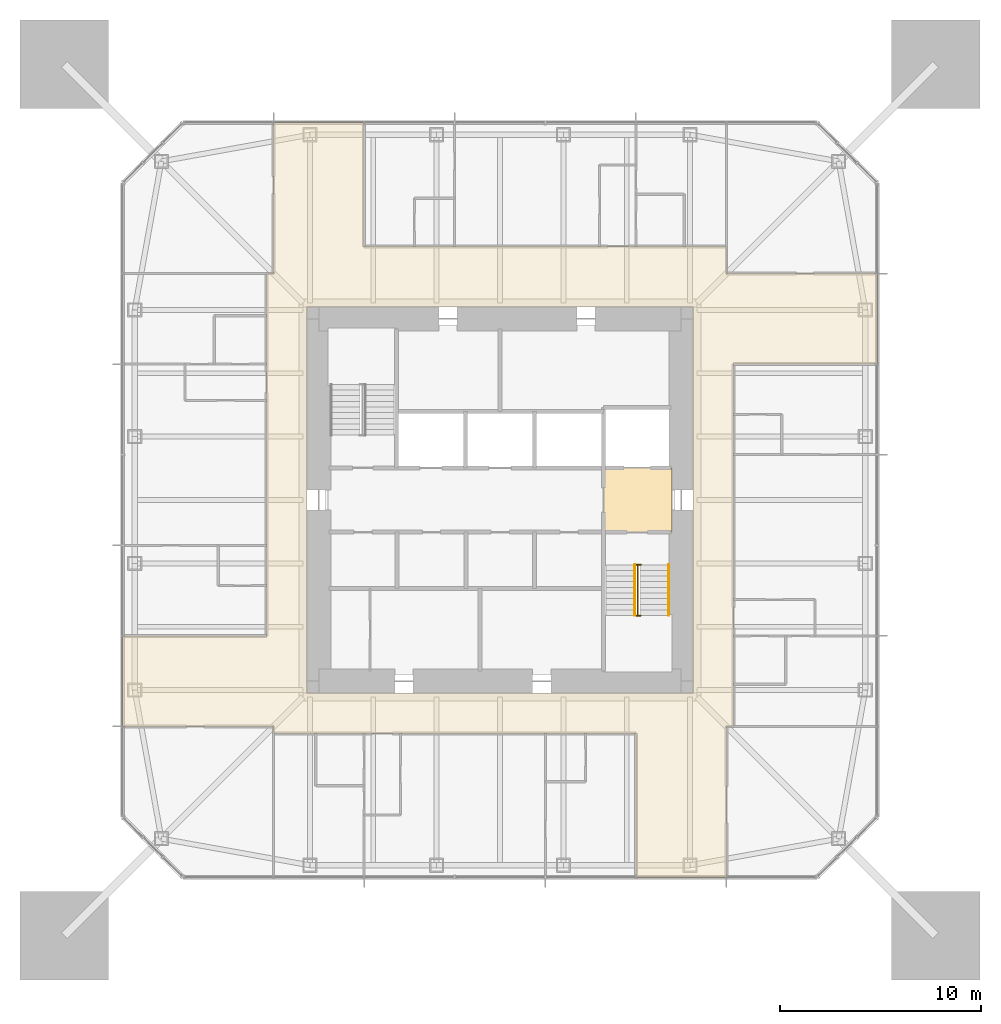
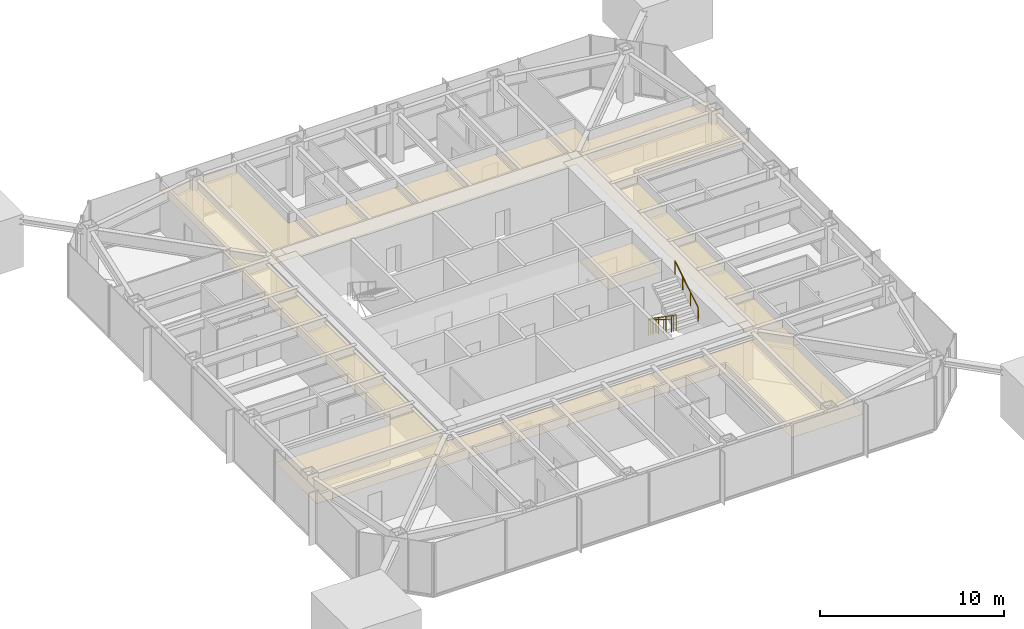
# One storey, part 10 of 11: 3 railings, 2 coverings.
"""IFC4 building model written with IfcOpenShell, lengths in metres."""

from ifc_helpers import new_model, si_unit, direction, frame, origin, origin_2d, place, context, subcontext, project, spatial, polyline, circle, outline, extrude, material, layer, layer_set, constituent, constituent_set, type_object, element, save


model = new_model("IFC4")

# Units and contexts
model_context = context("Model", 3, precision=1e-05, world=origin(), true_north=direction((0.0, 1.0)))
body_context = subcontext(model_context, "Body", "Model", "MODEL_VIEW")
ifc_project = project(units=[si_unit("LENGTHUNIT", "METRE"), si_unit("AREAUNIT", "SQUARE_METRE"), si_unit("VOLUMEUNIT", "CUBIC_METRE"), si_unit("PLANEANGLEUNIT", "RADIAN"), si_unit("MASSUNIT", "GRAM", prefix="KILO")], contexts=[model_context])

# Site, building, storey
site_placement = place(None, origin())
site = spatial("IfcSite", under=ifc_project, at=site_placement, CompositionType="ELEMENT")
building_placement = place(site_placement, origin())
building = spatial("IfcBuilding", under=site, at=building_placement, Name="Iwan Alto Co-Living Towers", CompositionType="ELEMENT")
storey_placement = place(building_placement, frame((0.0, 0.0, 181.0)))
storey = spatial("IfcBuildingStorey", under=building, at=storey_placement, Name="L49", CompositionType="ELEMENT", Elevation=181.0)

# Covering
ifc_material_1 = material(Name="Mineral fibre acoustic tiles on steel grid", Category="steel")
ifc_layer_1 = layer(ifc_material_1, 0.02001953125)
ifc_layer_set_1 = layer_set([ifc_layer_1], Name="ACOUSTIC TILE CEILING 20")
covering_type_1 = type_object("IfcCoveringType", Name="ACOUSTIC TILE CEILING 20", PredefinedType="CEILING", material=ifc_layer_set_1)
covering_1_placement = place(storey_placement, frame((0.0, 0.0, 2.60009765625)))
element("IfcCovering", 1, at=covering_1_placement, inside=storey, type_object=covering_type_1, Name="Ceiling Firefighting lobby L49", PredefinedType="CEILING", context=body_context, shape_type="SweptSolid", body=[
    extrude(outline(polyline([(5.14990234375, -1.60009765625), (5.14990234375, 1.60009765625), (8.550048828125, 1.60009765625), (8.550048828125, -1.60009765625), (5.14990234375, -1.60009765625)])), origin(), (0.0, 0.0, 1.0), 0.02001953125),
])

# Railings
ifc_material_2 = material(Name="Steel ASTM A500 Gr C", Category="steel")
ifc_constituent_1 = constituent(ifc_material_2, Name="Rails and posts", Category="Framing")
ifc_material_3 = material(Name="Steel ASTM A36", Category="steel")
ifc_constituent_2 = constituent(ifc_material_3, Name="Bar infill", Category="Infill")
ifc_constituent_set = constituent_set(constituents=[ifc_constituent_1, ifc_constituent_2], Name="STAIR GUARD 1100")
railing_type_1 = type_object("IfcRailingType", Name="STAIR GUARD 1100", PredefinedType="GUARDRAIL", material=ifc_constituent_set)
railing_1_placement = place(storey_placement, frame((6.85009765625, -3.219970703125, 0.0)))
element("IfcRailing", 2, at=railing_1_placement, inside=storey, type_object=railing_type_1, Name="Stair T1-S2 well guard L49", PredefinedType="GUARDRAIL", context=body_context, shape_type="SweptSolid", body=[
    extrude(circle(Radius=0.02392578125, at=origin_2d()), frame((0.0, 0.0, 1.076171875), z_axis=(0.0, -0.821372036852, 0.570392826987), x_axis=(1.0, 0.0, 0.0)), (0.0, 0.0, 1.0), 3.068115234375),
    extrude(circle(Radius=0.02392578125, at=origin_2d()), frame((-0.150146484375, 0.0, 1.076171875), z_axis=(1.0, 0.0, 0.0), x_axis=(0.0, 1.0, 0.0)), (0.0, 0.0, 1.0), 0.300048828125),
    extrude(circle(Radius=0.02392578125, at=origin_2d()), frame((-0.150146484375, -2.52001953125, 2.826171875), z_axis=(1.0, 0.0, 0.0), x_axis=(0.0, 1.0, 0.0)), (0.0, 0.0, 1.0), 0.300048828125),
    extrude(circle(Radius=0.02099609375, at=origin_2d()), origin(), (0.0, 0.0, 1.0), 1.052001953125),
    extrude(circle(Radius=0.02099609375, at=origin_2d()), frame((0.0, -0.840087890625, 0.583251953125)), (0.0, 0.0, 1.0), 1.052001953125),
    extrude(circle(Radius=0.02099609375, at=origin_2d()), frame((0.0, -1.679931640625, 1.166748046875)), (0.0, 0.0, 1.0), 1.052001953125),
    extrude(circle(Radius=0.02099609375, at=origin_2d()), frame((0.0, -2.52001953125, 1.75)), (0.0, 0.0, 1.0), 1.052001953125),
    extrude(circle(Radius=0.02099609375, at=origin_2d()), frame((-0.150146484375, 0.0, 0.0)), (0.0, 0.0, 1.0), 1.052001953125),
    extrude(circle(Radius=0.02099609375, at=origin_2d()), frame((0.14990234375, 0.0, 0.0)), (0.0, 0.0, 1.0), 1.052001953125),
    extrude(circle(Radius=0.02099609375, at=origin_2d()), frame((-0.150146484375, -2.52001953125, 1.75)), (0.0, 0.0, 1.0), 1.052001953125),
    extrude(circle(Radius=0.02099609375, at=origin_2d()), frame((0.14990234375, -2.52001953125, 1.75)), (0.0, 0.0, 1.0), 1.052001953125),
])
ifc_material_4 = material(Name="Steel ASTM A500 Gr C", Category="steel")
railing_type_2 = type_object("IfcRailingType", Name="STAIR HANDRAIL 900", PredefinedType="HANDRAIL", material=ifc_material_4)
railing_2_placement = place(storey_placement, frame((6.699951171875, -3.219970703125, 0.175048828125)))
element("IfcRailing", 3, at=railing_2_placement, inside=storey, type_object=railing_type_2, Name="Stair T1-S2 handrail 1 L49", PredefinedType="HANDRAIL", context=body_context, shape_type="SweptSolid", body=[
    extrude(circle(Radius=0.02392578125, at=origin_2d()), frame((0.0, 0.0, 0.8759765625), z_axis=(0.0, -0.848007534815, 0.529984170421), x_axis=(1.0, 0.0, 0.0)), (0.0, 0.0, 1.0), 2.9716796875),
    extrude(circle(Radius=0.02099609375, at=origin_2d()), origin(), (0.0, 0.0, 1.0), 0.851806640625),
    extrude(circle(Radius=0.02099609375, at=origin_2d()), frame((0.0, -0.840087890625, 0.52490234375)), (0.0, 0.0, 1.0), 0.851806640625),
    extrude(circle(Radius=0.02099609375, at=origin_2d()), frame((0.0, -1.679931640625, 1.050048828125)), (0.0, 0.0, 1.0), 0.851806640625),
    extrude(circle(Radius=0.02099609375, at=origin_2d()), frame((0.0, -2.52001953125, 1.574951171875)), (0.0, 0.0, 1.0), 0.851806640625),
])
railing_3_placement = place(storey_placement, frame((8.3798828125, -5.739990234375, 1.925048828125)))
element("IfcRailing", 4, at=railing_3_placement, inside=storey, type_object=railing_type_2, Name="Stair T1-S2 handrail 2 L49", PredefinedType="HANDRAIL", context=body_context, shape_type="SweptSolid", body=[
    extrude(circle(Radius=0.02392578125, at=origin_2d()), frame((0.0, 0.0, 0.8759765625), z_axis=(0.0, 0.848007534815, 0.529984170421), x_axis=(-1.0, 0.0, 0.0)), (0.0, 0.0, 1.0), 2.9716796875),
    extrude(circle(Radius=0.02099609375, at=origin_2d()), origin(), (0.0, 0.0, 1.0), 0.851806640625),
    extrude(circle(Radius=0.02099609375, at=origin_2d()), frame((0.0, 0.840087890625, 0.52490234375)), (0.0, 0.0, 1.0), 0.851806640625),
    extrude(circle(Radius=0.02099609375, at=origin_2d()), frame((0.0, 1.679931640625, 1.050048828125)), (0.0, 0.0, 1.0), 0.851806640625),
    extrude(circle(Radius=0.02099609375, at=origin_2d()), frame((0.0, 2.52001953125, 1.574951171875)), (0.0, 0.0, 1.0), 0.851806640625),
])

# Covering
ifc_material_5 = material(Name="Gypsum plasterboard on steel grid", Category="steel")
ifc_layer_2 = layer(ifc_material_5, 0.014892578125)
ifc_layer_set_2 = layer_set([ifc_layer_2], Name="SUSPENDED PLASTERBOARD CEILING 15")
covering_type_2 = type_object("IfcCoveringType", Name="SUSPENDED PLASTERBOARD CEILING 15", PredefinedType="CEILING", material=ifc_layer_set_2)
covering_2_placement = place(storey_placement, frame((0.0, 0.0, 2.60009765625)))
element("IfcCovering", 5, at=covering_2_placement, inside=storey, type_object=covering_type_2, Name="Ceiling Corridor L49", PredefinedType="CEILING", context=body_context, shape_type="SweptSolid", body=[
    extrude(outline(polyline([(-18.75, -11.25), (-18.75, -6.75), (-11.60009765625, -6.75), (-11.60009765625, 11.25), (-11.25, 11.25), (-11.25, 12.60009765625), (-11.25, 18.75), (-6.75, 18.75), (-6.75, 12.60009765625), (11.25, 12.60009765625), (11.25, 11.25), (11.60009765625, 11.25), (18.75, 11.25), (18.75, 6.75), (11.60009765625, 6.75), (11.60009765625, -11.25), (11.25, -11.25), (11.25, -11.60009765625), (11.25, -18.75), (6.75, -18.75), (6.75, -11.60009765625), (-11.25, -11.60009765625), (-11.25, -11.25), (-11.60009765625, -11.25), (-18.75, -11.25)]), holes=[polyline([(9.60009765625, 9.60009765625), (-9.60009765625, 9.60009765625), (-9.60009765625, -9.60009765625), (9.60009765625, -9.60009765625), (9.60009765625, 9.60009765625)])]), origin(), (0.0, 0.0, 1.0), 0.014892578125),
])

save(model, "model.ifc")
